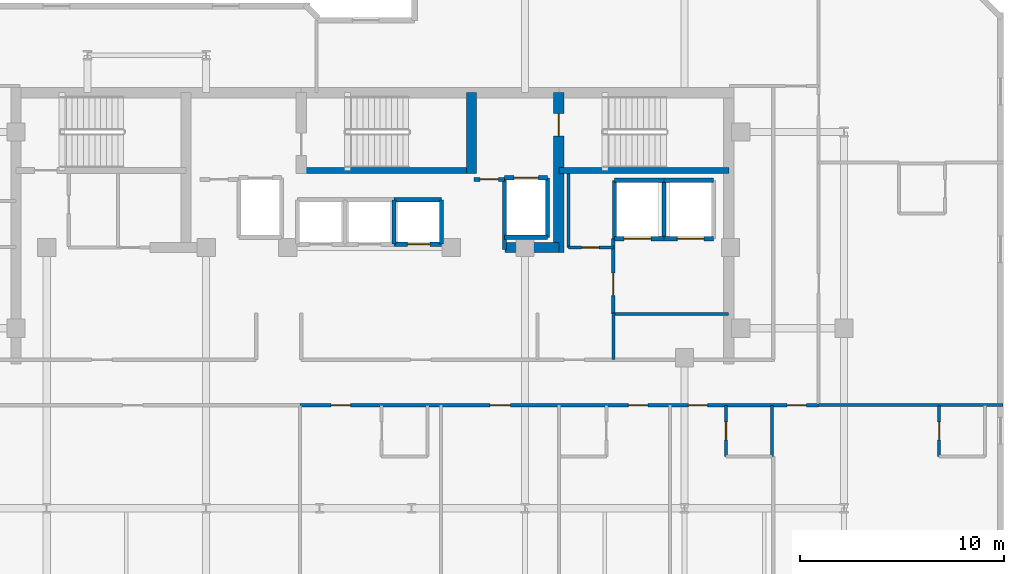
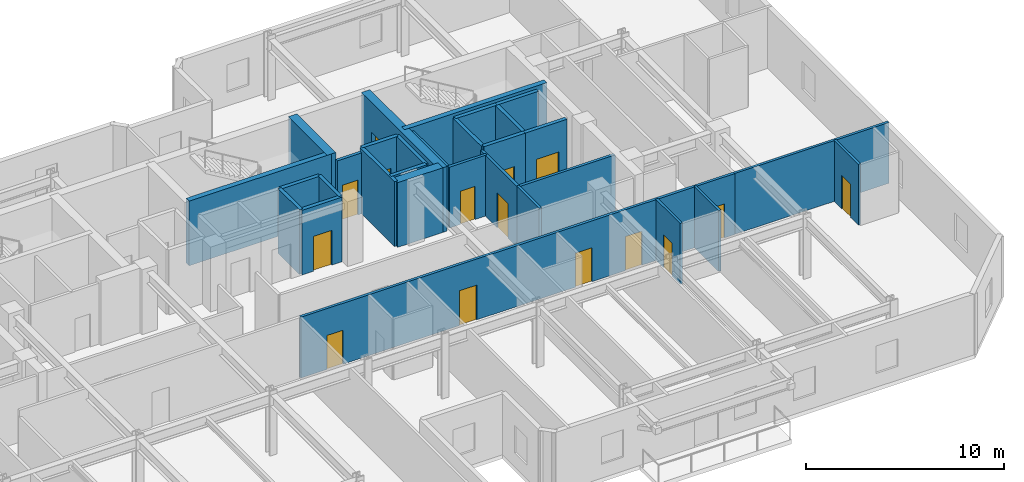
# One storey, part 6 of 11: 30 walls, 15 doors, 15 openings.
"""IFC4 building model written with IfcOpenShell, lengths in metres."""

from ifc_helpers import new_model, si_unit, direction, frame, frame_2d, origin, place, context, subcontext, project, spatial, rectangle, extrude, material, layer, layer_set, type_object, element, fill, save


model = new_model("IFC4")

# Units and contexts
model_context = context("Model", 3, precision=1e-05, world=origin(), true_north=direction((0.0, 1.0)))
body_context = subcontext(model_context, "Body", "Model", "MODEL_VIEW")
ifc_project = project(units=[si_unit("LENGTHUNIT", "METRE"), si_unit("AREAUNIT", "SQUARE_METRE"), si_unit("VOLUMEUNIT", "CUBIC_METRE"), si_unit("PLANEANGLEUNIT", "RADIAN"), si_unit("MASSUNIT", "GRAM", prefix="KILO")], contexts=[model_context])

# Site, building, storey
site_placement = place(None, origin())
site = spatial("IfcSite", under=ifc_project, at=site_placement, CompositionType="ELEMENT")
building_placement = place(site_placement, origin())
building = spatial("IfcBuilding", under=site, at=building_placement, Name="Kestravale Grand Hotel", CompositionType="ELEMENT")
storey_placement = place(building_placement, frame((0.0, 0.0, 249.39990234375)))
storey = spatial("IfcBuildingStorey", under=building, at=storey_placement, Name="L62", CompositionType="ELEMENT", Elevation=249.39990234375)

# Walls
ifc_material_1 = material(Name="Concrete f'c 50 MPa", Category="concrete")
ifc_layer_1 = layer(ifc_material_1, 0.5)
ifc_layer_set_1 = layer_set([ifc_layer_1], Name="EW-CORE-500")
wall_type_1 = type_object("IfcWallType", Name="EW-CORE-500", PredefinedType="SHEAR", material=ifc_layer_set_1)
wall_1_placement = place(storey_placement, frame((45.81005859375, 32.75, 0.0), z_axis=(0.0, 0.0, 1.0), x_axis=(1.0, 0.0, 0.0)))
element("IfcWall", 1, at=wall_1_placement, inside=storey, type_object=wall_type_1, Name="L62 core shear wall S2", PredefinedType="SHEAR", context=body_context, shape_type="SweptSolid", body=[
    extrude(rectangle(XDim=2.639892578125, YDim=0.5, at=frame_2d((1.31982421875, 0.0))), origin(), (0.0, 0.0, 1.0), 4.0),
])
wall_2_placement = place(storey_placement, frame((44.179931640625, 36.3701171875, 0.0), z_axis=(0.0, 0.0, 1.0), x_axis=(0.0, 1.0, 0.0)))
element("IfcWall", 2, at=wall_2_placement, inside=storey, type_object=wall_type_1, Name="L62 core shear wall X3", PredefinedType="SHEAR", context=body_context, shape_type="SweptSolid", body=[
    extrude(rectangle(XDim=3.949951171875, YDim=0.5, at=frame_2d((1.97509765625, 0.0))), origin(), (0.0, 0.0, 1.0), 4.0),
])

# Wall, opening, door
wall_3_placement = place(storey_placement, frame((48.449951171875, 32.5, 0.0), z_axis=(0.0, 0.0, 1.0), x_axis=(0.0, 1.0, 0.0)))
wall_3 = element("IfcWall", 3, at=wall_3_placement, inside=storey, type_object=wall_type_1, Name="L62 core shear wall X4", PredefinedType="SHEAR", context=body_context, shape_type="SweptSolid", body=[
    extrude(rectangle(XDim=7.820068359375, YDim=0.5, at=frame_2d((3.91015625, 0.0))), origin(), (0.0, 0.0, 1.0), 4.0),
])
opening_1_placement = place(wall_3_placement, frame((5.699951171875, 0.0, 0.0)))
opening_1 = element("IfcOpeningElement", 4, at=opening_1_placement, cuts=wall_3, Name="Opening D-ST-1100", PredefinedType="OPENING", context=body_context, shape_type="SweptSolid", body=[
    extrude(rectangle(XDim=1.10009765625, YDim=2.14990234375, at=frame_2d((0.550048828125, 1.074951171875))), frame((0.0, 0.260009765625, 0.0), z_axis=(0.0, -1.0, 0.0), x_axis=(1.0, 0.0, 0.0)), (0.0, 0.0, 1.0), 0.52001953125),
])
ifc_material_2 = material(Name="Galvanised 90-minute fire-rated steel stair door", Category="steel")
door_type_1 = type_object("IfcDoorType", Name="D-ST-1100", OperationType="NOTDEFINED", PredefinedType="DOOR", material=ifc_material_2)
door_1_placement = place(opening_1_placement, origin())
door_1 = element("IfcDoor", 5, at=door_1_placement, inside=storey, type_object=door_type_1, Name="L62 Stair ST-3 FSAE fire door", OperationType="SINGLE_SWING_RIGHT", OverallHeight=2.14990234375, OverallWidth=1.10009765625, PredefinedType="DOOR", context=body_context, shape_type="SweptSolid", body=[
    extrude(rectangle(XDim=1.10009765625, YDim=2.14990234375, at=frame_2d((0.550048828125, 1.074951171875))), frame((0.0, 0.02490234375, 0.0), z_axis=(0.0, -1.0, 0.0), x_axis=(1.0, 0.0, 0.0)), (0.0, 0.0, 1.0), 0.050048828125),
])
fill(opening_1, door_1)

# Walls
ifc_material_3 = material(Name="Concrete f'c 45 MPa", Category="concrete")
ifc_layer_2 = layer(ifc_material_3, 0.300048828125)
ifc_layer_set_2 = layer_set([ifc_layer_2], Name="EW-STAIR-300")
wall_type_2 = type_object("IfcWallType", Name="EW-STAIR-300", PredefinedType="SHEAR", material=ifc_layer_set_2)
wall_4_placement = place(storey_placement, frame((35.85009765625, 36.52001953125, 0.0), z_axis=(0.0, 0.0, 1.0), x_axis=(1.0, 0.0, 0.0)))
element("IfcWall", 6, at=wall_4_placement, inside=storey, type_object=wall_type_2, Name="L62 stair enclosure shear wall SST2", PredefinedType="SHEAR", context=body_context, shape_type="SweptSolid", body=[
    extrude(rectangle(XDim=8.329833984375, YDim=0.300048828125, at=frame_2d((4.1650390625, 0.0))), origin(), (0.0, 0.0, 1.0), 4.0),
])
wall_5_placement = place(storey_placement, frame((48.449951171875, 36.52001953125, 0.0), z_axis=(0.0, 0.0, 1.0), x_axis=(1.0, 0.0, 0.0)))
element("IfcWall", 7, at=wall_5_placement, inside=storey, type_object=wall_type_2, Name="L62 stair enclosure shear wall SST3", PredefinedType="SHEAR", context=body_context, shape_type="SweptSolid", body=[
    extrude(rectangle(XDim=8.320068359375, YDim=0.300048828125, at=frame_2d((4.16015625, 0.0))), origin(), (0.0, 0.0, 1.0), 4.0),
])

# Wall, opening, door
ifc_material_4 = material(Name="Acoustic fire-rated gypsum board partition", Category="other")
ifc_layer_3 = layer(ifc_material_4, 0.159912109375)
ifc_layer_set_3 = layer_set([ifc_layer_3], Name="IW-CORR-160")
wall_type_3 = type_object("IfcWallType", Name="IW-CORR-160", PredefinedType="PARTITIONING", material=ifc_layer_set_3)
wall_6_placement = place(storey_placement, frame((51.1201171875, 29.5, 0.0), z_axis=(0.0, 0.0, 1.0), x_axis=(0.0, 1.0, 0.0)))
wall_6 = element("IfcWall", 8, at=wall_6_placement, inside=storey, type_object=wall_type_3, Name="W-L62-SVCLOB-W", PredefinedType="PARTITIONING", context=body_context, shape_type="SweptSolid", body=[
    extrude(rectangle(XDim=3.699951171875, YDim=0.159912109375, at=frame_2d((1.85009765625, 0.0))), origin(), (0.0, 0.0, 1.0), 3.760009765625),
])
opening_2_placement = place(wall_6_placement, frame((0.89990234375, 0.0, 0.0)))
opening_2 = element("IfcOpeningElement", 9, at=opening_2_placement, cuts=wall_6, Name="Opening D-CORR-1100", PredefinedType="OPENING", context=body_context, shape_type="SweptSolid", body=[
    extrude(rectangle(XDim=1.10009765625, YDim=2.14990234375, at=frame_2d((0.550048828125, 1.074951171875))), frame((0.0, 0.08984375, 0.0), z_axis=(0.0, -1.0, 0.0), x_axis=(1.0, 0.0, 0.0)), (0.0, 0.0, 1.0), 0.179931640625),
])
ifc_material_5 = material(Name="Single-leaf service vestibule fire door", Category="steel")
door_type_2 = type_object("IfcDoorType", Name="D-CORR-1100", OperationType="NOTDEFINED", PredefinedType="DOOR", material=ifc_material_5)
door_2_placement = place(opening_2_placement, origin())
door_2 = element("IfcDoor", 10, at=door_2_placement, inside=storey, type_object=door_type_2, Name="L62 service lift lobby door", OperationType="SINGLE_SWING_LEFT", OverallHeight=2.14990234375, OverallWidth=1.10009765625, PredefinedType="DOOR", context=body_context, shape_type="SweptSolid", body=[
    extrude(rectangle(XDim=1.10009765625, YDim=2.14990234375, at=frame_2d((0.550048828125, 1.074951171875))), frame((0.0, 0.02490234375, 0.0), z_axis=(0.0, -1.0, 0.0), x_axis=(1.0, 0.0, 0.0)), (0.0, 0.0, 1.0), 0.050048828125),
])
fill(opening_2, door_2)

# Wall
wall_7_placement = place(storey_placement, frame((51.1201171875, 29.5, 0.0), z_axis=(0.0, 0.0, 1.0), x_axis=(1.0, 0.0, 0.0)))
element("IfcWall", 11, at=wall_7_placement, inside=storey, type_object=wall_type_3, Name="L62 service lift lobby wall", PredefinedType="PARTITIONING", context=body_context, shape_type="SweptSolid", body=[
    extrude(rectangle(XDim=5.6298828125, YDim=0.159912109375, at=frame_2d((2.81494140625, 0.0))), origin(), (0.0, 0.0, 1.0), 3.760009765625),
])

# Wall, opening, door
wall_8_placement = place(storey_placement, frame((48.919921875, 32.75, 0.0), z_axis=(0.0, 0.0, 1.0), x_axis=(1.0, 0.0, 0.0)))
wall_8 = element("IfcWall", 12, at=wall_8_placement, inside=storey, type_object=wall_type_3, Name="W-L62-CES", PredefinedType="PARTITIONING", context=body_context, shape_type="SweptSolid", body=[
    extrude(rectangle(XDim=2.2001953125, YDim=0.159912109375, at=frame_2d((1.10009765625, 0.0))), origin(), (0.0, 0.0, 1.0), 3.760009765625),
])
opening_3_placement = place(wall_8_placement, frame((0.64990234375, 0.0, 0.0)))
opening_3 = element("IfcOpeningElement", 13, at=opening_3_placement, cuts=wall_8, Name="Opening D-SH-860", PredefinedType="OPENING", context=body_context, shape_type="SweptSolid", body=[
    extrude(rectangle(XDim=0.860107421875, YDim=2.050048828125, at=frame_2d((0.43017578125, 1.02490234375))), frame((0.0, 0.08984375, 0.0), z_axis=(0.0, -1.0, 0.0), x_axis=(1.0, 0.0, 0.0)), (0.0, 0.0, 1.0), 0.179931640625),
])
ifc_material_6 = material(Name="Galvanised 90-minute riser fire door", Category="steel")
door_type_3 = type_object("IfcDoorType", Name="D-SH-860", OperationType="NOTDEFINED", PredefinedType="DOOR", material=ifc_material_6)
door_3_placement = place(opening_3_placement, origin())
door_3 = element("IfcDoor", 14, at=door_3_placement, inside=storey, type_object=door_type_3, Name="L62 CSTO1 door", OperationType="SINGLE_SWING_RIGHT", OverallHeight=2.050048828125, OverallWidth=0.860107421875, PredefinedType="DOOR", context=body_context, shape_type="SweptSolid", body=[
    extrude(rectangle(XDim=0.860107421875, YDim=2.050048828125, at=frame_2d((0.43017578125, 1.02490234375))), frame((0.0, 0.02490234375, 0.0), z_axis=(0.0, -1.0, 0.0), x_axis=(1.0, 0.0, 0.0)), (0.0, 0.0, 1.0), 0.050048828125),
])
fill(opening_3, door_3)

# Wall, openings, doors
wall_9_placement = place(storey_placement, frame((35.800048828125, 25.0400390625, 0.0), z_axis=(0.0, 0.0, 1.0), x_axis=(1.0, 0.0, 0.0)))
wall_9 = element("IfcWall", 15, at=wall_9_placement, inside=storey, type_object=wall_type_3, Name="W-L62-CE-S", PredefinedType="PARTITIONING", context=body_context, shape_type="SweptSolid", body=[
    extrude(rectangle(XDim=25.35986328125, YDim=0.159912109375, at=frame_2d((12.679931640625, 0.0))), origin(), (0.0, 0.0, 1.0), 3.760009765625),
])
opening_4_placement = place(wall_9_placement, frame((1.517578125, 0.0, 0.0)))
opening_4 = element("IfcOpeningElement", 16, at=opening_4_placement, cuts=wall_9, Name="Opening D-GUEST-950", PredefinedType="OPENING", context=body_context, shape_type="SweptSolid", body=[
    extrude(rectangle(XDim=0.949951171875, YDim=2.10009765625, at=frame_2d((0.47509765625, 1.050048828125))), frame((0.0, 0.08984375, 0.0), z_axis=(0.0, -1.0, 0.0), x_axis=(1.0, 0.0, 0.0)), (0.0, 0.0, 1.0), 0.179931640625),
])
opening_5_placement = place(wall_9_placement, frame((9.277587890625, 0.0, 0.0)))
opening_5 = element("IfcOpeningElement", 17, at=opening_5_placement, cuts=wall_9, Name="Opening D-GUEST-1000", PredefinedType="OPENING", context=body_context, shape_type="SweptSolid", body=[
    extrude(rectangle(XDim=1.0, YDim=2.14990234375, at=frame_2d((0.5, 1.074951171875))), frame((0.0, 0.08984375, 0.0), z_axis=(0.0, -1.0, 0.0), x_axis=(1.0, 0.0, 0.0)), (0.0, 0.0, 1.0), 0.179931640625),
])
opening_6_placement = place(wall_9_placement, frame((16.06005859375, 0.0, 0.0)))
opening_6 = element("IfcOpeningElement", 18, at=opening_6_placement, cuts=wall_9, Name="Opening D-GUEST-950", PredefinedType="OPENING", context=body_context, shape_type="SweptSolid", body=[
    extrude(rectangle(XDim=0.949951171875, YDim=2.10009765625, at=frame_2d((0.47509765625, 1.050048828125))), frame((0.0, 0.08984375, 0.0), z_axis=(0.0, -1.0, 0.0), x_axis=(1.0, 0.0, 0.0)), (0.0, 0.0, 1.0), 0.179931640625),
])
opening_7_placement = place(wall_9_placement, frame((18.985107421875, 0.0, 0.0)))
opening_7 = element("IfcOpeningElement", 19, at=opening_7_placement, cuts=wall_9, Name="Opening D-GUEST-950", PredefinedType="OPENING", context=body_context, shape_type="SweptSolid", body=[
    extrude(rectangle(XDim=0.949951171875, YDim=2.10009765625, at=frame_2d((0.47509765625, 1.050048828125))), frame((0.0, 0.08984375, 0.0), z_axis=(0.0, -1.0, 0.0), x_axis=(1.0, 0.0, 0.0)), (0.0, 0.0, 1.0), 0.179931640625),
])
opening_8_placement = place(wall_9_placement, frame((23.81494140625, 0.0, 0.0)))
opening_8 = element("IfcOpeningElement", 20, at=opening_8_placement, cuts=wall_9, Name="Opening D-GUEST-950", PredefinedType="OPENING", context=body_context, shape_type="SweptSolid", body=[
    extrude(rectangle(XDim=0.949951171875, YDim=2.10009765625, at=frame_2d((0.47509765625, 1.050048828125))), frame((0.0, 0.08984375, 0.0), z_axis=(0.0, -1.0, 0.0), x_axis=(1.0, 0.0, 0.0)), (0.0, 0.0, 1.0), 0.179931640625),
])
ifc_material_7 = material(Name="Accessible walnut veneer hotel entrance fire door", Category="wood")
door_type_4 = type_object("IfcDoorType", Name="D-GUEST-1000", OperationType="NOTDEFINED", PredefinedType="DOOR", material=ifc_material_7)
door_4_placement = place(opening_5_placement, origin())
door_4 = element("IfcDoor", 21, at=door_4_placement, inside=storey, type_object=door_type_4, Name="D-L62-AME", OperationType="SINGLE_SWING_LEFT", OverallHeight=2.14990234375, OverallWidth=1.0, PredefinedType="DOOR", context=body_context, shape_type="SweptSolid", body=[
    extrude(rectangle(XDim=1.0, YDim=2.14990234375, at=frame_2d((0.5, 1.074951171875))), frame((0.0, 0.02490234375, 0.0), z_axis=(0.0, -1.0, 0.0), x_axis=(1.0, 0.0, 0.0)), (0.0, 0.0, 1.0), 0.050048828125),
])
fill(opening_5, door_4)
ifc_material_8 = material(Name="Walnut veneer hotel guestroom entrance fire door", Category="wood")
door_type_5 = type_object("IfcDoorType", Name="D-GUEST-950", OperationType="NOTDEFINED", PredefinedType="DOOR", material=ifc_material_8)
door_5_placement = place(opening_4_placement, origin())
door_5 = element("IfcDoor", 22, at=door_5_placement, inside=storey, type_object=door_type_5, Name="D-L62-U01-ENT", OperationType="SINGLE_SWING_RIGHT", OverallHeight=2.10009765625, OverallWidth=0.949951171875, PredefinedType="DOOR", context=body_context, shape_type="SweptSolid", body=[
    extrude(rectangle(XDim=0.949951171875, YDim=2.10009765625, at=frame_2d((0.47509765625, 1.050048828125))), frame((0.0, 0.02490234375, 0.0), z_axis=(0.0, -1.0, 0.0), x_axis=(1.0, 0.0, 0.0)), (0.0, 0.0, 1.0), 0.050048828125),
])
fill(opening_4, door_5)
door_6_placement = place(opening_6_placement, origin())
door_6 = element("IfcDoor", 23, at=door_6_placement, inside=storey, type_object=door_type_5, Name="D-L62-U02-ENT", OperationType="SINGLE_SWING_LEFT", OverallHeight=2.10009765625, OverallWidth=0.949951171875, PredefinedType="DOOR", context=body_context, shape_type="SweptSolid", body=[
    extrude(rectangle(XDim=0.949951171875, YDim=2.10009765625, at=frame_2d((0.47509765625, 1.050048828125))), frame((0.0, 0.02490234375, 0.0), z_axis=(0.0, -1.0, 0.0), x_axis=(1.0, 0.0, 0.0)), (0.0, 0.0, 1.0), 0.050048828125),
])
fill(opening_6, door_6)
door_7_placement = place(opening_7_placement, origin())
door_7 = element("IfcDoor", 24, at=door_7_placement, inside=storey, type_object=door_type_5, Name="D-L62-U03-ENT", OperationType="SINGLE_SWING_LEFT", OverallHeight=2.10009765625, OverallWidth=0.949951171875, PredefinedType="DOOR", context=body_context, shape_type="SweptSolid", body=[
    extrude(rectangle(XDim=0.949951171875, YDim=2.10009765625, at=frame_2d((0.47509765625, 1.050048828125))), frame((0.0, 0.02490234375, 0.0), z_axis=(0.0, -1.0, 0.0), x_axis=(1.0, 0.0, 0.0)), (0.0, 0.0, 1.0), 0.050048828125),
])
fill(opening_7, door_7)
door_8_placement = place(opening_8_placement, origin())
door_8 = element("IfcDoor", 25, at=door_8_placement, inside=storey, type_object=door_type_5, Name="D-L62-U07-ENT", OperationType="SINGLE_SWING_RIGHT", OverallHeight=2.10009765625, OverallWidth=0.949951171875, PredefinedType="DOOR", context=body_context, shape_type="SweptSolid", body=[
    extrude(rectangle(XDim=0.949951171875, YDim=2.10009765625, at=frame_2d((0.47509765625, 1.050048828125))), frame((0.0, 0.02490234375, 0.0), z_axis=(0.0, -1.0, 0.0), x_axis=(1.0, 0.0, 0.0)), (0.0, 0.0, 1.0), 0.050048828125),
])
fill(opening_8, door_8)

# Wall, opening, door
ifc_material_9 = material(Name="Fire-rated gypsum board on steel studs with mineral wool", Category="steel")
ifc_layer_4 = layer(ifc_material_9, 0.179931640625)
ifc_layer_set_4 = layer_set([ifc_layer_4], Name="IW-FSAE-180")
wall_type_4 = type_object("IfcWallType", Name="IW-FSAE-180", PredefinedType="PARTITIONING", material=ifc_layer_set_4)
wall_10_placement = place(storey_placement, frame((44.300048828125, 36.080078125, 0.0), z_axis=(0.0, 0.0, 1.0), x_axis=(1.0, 0.0, 0.0)))
wall_10 = element("IfcWall", 26, at=wall_10_placement, inside=storey, type_object=wall_type_4, Name="L62 FSAE Lobby 2 smoke barrier", PredefinedType="PARTITIONING", context=body_context, shape_type="SweptSolid", body=[
    extrude(rectangle(XDim=1.5, YDim=0.179931640625, at=frame_2d((0.75, 0.0))), origin(), (0.0, 0.0, 1.0), 3.760009765625),
])
opening_9_placement = place(wall_10_placement, frame((0.300048828125, 0.0, 0.0)))
opening_9 = element("IfcOpeningElement", 27, at=opening_9_placement, cuts=wall_10, Name="Opening D-FSAE-1000", PredefinedType="OPENING", context=body_context, shape_type="SweptSolid", body=[
    extrude(rectangle(XDim=0.89990234375, YDim=2.14990234375, at=frame_2d((0.449951171875, 1.074951171875))), frame((0.0, 0.099853515625, 0.0), z_axis=(0.0, -1.0, 0.0), x_axis=(1.0, 0.0, 0.0)), (0.0, 0.0, 1.0), 0.199951171875),
])
ifc_material_10 = material(Name="Smoke-gasketed FSAE lobby fire door", Category="steel")
door_type_6 = type_object("IfcDoorType", Name="D-FSAE-1000", OperationType="NOTDEFINED", PredefinedType="DOOR", material=ifc_material_10)
door_9_placement = place(opening_9_placement, origin())
door_9 = element("IfcDoor", 28, at=door_9_placement, inside=storey, type_object=door_type_6, Name="L62 FSAE Lobby 2 fire door", OperationType="SINGLE_SWING_LEFT", OverallHeight=2.14990234375, OverallWidth=0.89990234375, PredefinedType="DOOR", context=body_context, shape_type="SweptSolid", body=[
    extrude(rectangle(XDim=0.89990234375, YDim=2.14990234375, at=frame_2d((0.449951171875, 1.074951171875))), frame((0.0, 0.02490234375, 0.0), z_axis=(0.0, -1.0, 0.0), x_axis=(1.0, 0.0, 0.0)), (0.0, 0.0, 1.0), 0.050048828125),
])
fill(opening_9, door_9)

ifc_material_11 = material(Name="Moisture-resistant tile-backer plumbing chase wall", Category="other")
ifc_layer_5 = layer(ifc_material_11, 0.139892578125)
ifc_layer_set_5 = layer_set([ifc_layer_5], Name="IW-PLB-140")
wall_type_5 = type_object("IfcWallType", Name="IW-PLB-140", PredefinedType="PLUMBINGWALL", material=ifc_layer_set_5)
wall_11_placement = place(storey_placement, frame((56.6298828125, 22.530029296875, 0.0), z_axis=(0.0, 0.0, 1.0), x_axis=(0.0, 1.0, 0.0)))
wall_11 = element("IfcWall", 29, at=wall_11_placement, inside=storey, type_object=wall_type_5, Name="W-L62-U03-BW", PredefinedType="PLUMBINGWALL", context=body_context, shape_type="SweptSolid", body=[
    extrude(rectangle(XDim=2.489990234375, YDim=0.139892578125, at=frame_2d((1.2451171875, 0.0))), origin(), (0.0, 0.0, 1.0), 3.760009765625),
])
opening_10_placement = place(wall_11_placement, frame((0.804931640625, 0.0, 0.0)))
opening_10 = element("IfcOpeningElement", 30, at=opening_10_placement, cuts=wall_11, Name="Opening D-BATH-880", PredefinedType="OPENING", context=body_context, shape_type="SweptSolid", body=[
    extrude(rectangle(XDim=0.8798828125, YDim=2.050048828125, at=frame_2d((0.43994140625, 1.02490234375))), frame((0.0, 0.079833984375, 0.0), z_axis=(0.0, -1.0, 0.0), x_axis=(1.0, 0.0, 0.0)), (0.0, 0.0, 1.0), 0.159912109375),
])
ifc_material_12 = material(Name="Moisture-sealed walnut en-suite bathroom door", Category="wood")
door_type_7 = type_object("IfcDoorType", Name="D-BATH-880", OperationType="NOTDEFINED", PredefinedType="DOOR", material=ifc_material_12)
door_10_placement = place(opening_10_placement, origin())
door_10 = element("IfcDoor", 31, at=door_10_placement, inside=storey, type_object=door_type_7, Name="D-L62-U03-BATH", OperationType="SINGLE_SWING_RIGHT", OverallHeight=2.050048828125, OverallWidth=0.8798828125, PredefinedType="DOOR", context=body_context, shape_type="SweptSolid", body=[
    extrude(rectangle(XDim=0.8798828125, YDim=2.050048828125, at=frame_2d((0.43994140625, 1.02490234375))), frame((0.0, 0.02490234375, 0.0), z_axis=(0.0, -1.0, 0.0), x_axis=(1.0, 0.0, 0.0)), (0.0, 0.0, 1.0), 0.050048828125),
])
fill(opening_10, door_10)

# Wall
wall_12_placement = place(storey_placement, frame((58.8798828125, 22.530029296875, 0.0), z_axis=(0.0, 0.0, 1.0), x_axis=(0.0, 1.0, 0.0)))
element("IfcWall", 32, at=wall_12_placement, inside=storey, type_object=wall_type_5, Name="W-L62-U03-BE", PredefinedType="PLUMBINGWALL", context=body_context, shape_type="SweptSolid", body=[
    extrude(rectangle(XDim=2.489990234375, YDim=0.139892578125, at=frame_2d((1.2451171875, 0.0))), origin(), (0.0, 0.0, 1.0), 3.760009765625),
])

# Wall, opening, door
wall_13_placement = place(storey_placement, frame((67.050048828125, 22.530029296875, 0.0), z_axis=(0.0, 0.0, 1.0), x_axis=(0.0, 1.0, 0.0)))
wall_13 = element("IfcWall", 33, at=wall_13_placement, inside=storey, type_object=wall_type_5, Name="W-L62-U07-BW", PredefinedType="PLUMBINGWALL", context=body_context, shape_type="SweptSolid", body=[
    extrude(rectangle(XDim=2.489990234375, YDim=0.139892578125, at=frame_2d((1.2451171875, 0.0))), origin(), (0.0, 0.0, 1.0), 3.760009765625),
])
opening_11_placement = place(wall_13_placement, frame((0.804931640625, 0.0, 0.0)))
opening_11 = element("IfcOpeningElement", 34, at=opening_11_placement, cuts=wall_13, Name="Opening D-BATH-880", PredefinedType="OPENING", context=body_context, shape_type="SweptSolid", body=[
    extrude(rectangle(XDim=0.8798828125, YDim=2.050048828125, at=frame_2d((0.43994140625, 1.02490234375))), frame((0.0, 0.079833984375, 0.0), z_axis=(0.0, -1.0, 0.0), x_axis=(1.0, 0.0, 0.0)), (0.0, 0.0, 1.0), 0.159912109375),
])
door_11_placement = place(opening_11_placement, origin())
door_11 = element("IfcDoor", 35, at=door_11_placement, inside=storey, type_object=door_type_7, Name="D-L62-U07-BATH", OperationType="SINGLE_SWING_LEFT", OverallHeight=2.050048828125, OverallWidth=0.8798828125, PredefinedType="DOOR", context=body_context, shape_type="SweptSolid", body=[
    extrude(rectangle(XDim=0.8798828125, YDim=2.050048828125, at=frame_2d((0.43994140625, 1.02490234375))), frame((0.0, 0.02490234375, 0.0), z_axis=(0.0, -1.0, 0.0), x_axis=(1.0, 0.0, 0.0)), (0.0, 0.0, 1.0), 0.050048828125),
])
fill(opening_11, door_11)

# Walls
ifc_material_13 = material(Name="Concrete f'c 45 MPa", Category="concrete")
ifc_layer_6 = layer(ifc_material_13, 0.199951171875)
ifc_layer_set_6 = layer_set([ifc_layer_6], Name="IW-SHAFT-200")
wall_type_6 = type_object("IfcWallType", Name="IW-SHAFT-200", PredefinedType="SHEAR", material=ifc_layer_set_6)
for number, where, z_axis, x_axis, name in (
    (36, (40.39990234375, 32.919921875, 0.0), (0.0, 0.0, 1.0), (0.0, 1.0, 0.0), "L62 PL-X3 west shaft wall"),
    (37, (42.719970703125, 32.919921875, 0.0), (0.0, 0.0, 1.0), (0.0, 1.0, 0.0), "L62 PL-X3 east shaft wall"),
):
    element("IfcWall", number, at=place(storey_placement, frame(where, z_axis=z_axis, x_axis=x_axis)), inside=storey, type_object=wall_type_6, Name=name, PredefinedType="SHEAR", context=body_context, shape_type="SweptSolid", body=[
        extrude(rectangle(XDim=2.16015625, YDim=0.199951171875, at=frame_2d((1.080078125, 0.0))), origin(), (0.0, 0.0, 1.0), 4.0),
    ])
for number, where, z_axis, x_axis, name in (
    (38, (51.179931640625, 33.169921875, 0.0), (0.0, 0.0, 1.0), (0.0, 1.0, 0.0), "L62 SL-1 west shaft wall"),
    (39, (53.60009765625, 33.169921875, 0.0), (0.0, 0.0, 1.0), (0.0, 1.0, 0.0), "L62 SL-2 west shaft wall"),
):
    element("IfcWall", number, at=place(storey_placement, frame(where, z_axis=z_axis, x_axis=x_axis)), inside=storey, type_object=wall_type_6, Name=name, PredefinedType="SHEAR", context=body_context, shape_type="SweptSolid", body=[
        extrude(rectangle(XDim=2.860107421875, YDim=0.199951171875, at=frame_2d((1.43017578125, 0.0))), origin(), (0.0, 0.0, 1.0), 4.0),
    ])
wall_14_placement = place(storey_placement, frame((45.804931640625, 32.64990234375, 0.0), z_axis=(0.0, 0.0, 1.0), x_axis=(0.0, 1.0, 0.0)))
element("IfcWall", 40, at=wall_14_placement, inside=storey, type_object=wall_type_6, Name="L62 FL-2 west shaft wall", PredefinedType="SHEAR", context=body_context, shape_type="SweptSolid", body=[
    extrude(rectangle(XDim=3.505126953125, YDim=0.199951171875, at=frame_2d((1.75244140625, 0.0))), origin(), (0.0, 0.0, 1.0), 4.0),
])
wall_15_placement = place(storey_placement, frame((47.89501953125, 33.2451171875, 0.0), z_axis=(0.0, 0.0, 1.0), x_axis=(0.0, 1.0, 0.0)))
element("IfcWall", 41, at=wall_15_placement, inside=storey, type_object=wall_type_6, Name="L62 FL-2 east shaft wall", PredefinedType="SHEAR", context=body_context, shape_type="SweptSolid", body=[
    extrude(rectangle(XDim=2.909912109375, YDim=0.199951171875, at=frame_2d((1.455078125, 0.0))), origin(), (0.0, 0.0, 1.0), 4.0),
])
ifc_material_14 = material(Name="Concrete f'c 45 MPa", Category="concrete")
ifc_layer_7 = layer(ifc_material_14, 0.219970703125)
ifc_layer_set_7 = layer_set([ifc_layer_7], Name="IW-SHAFT-220")
wall_type_7 = type_object("IfcWallType", Name="IW-SHAFT-220", PredefinedType="SHEAR", material=ifc_layer_set_7)
wall_16_placement = place(storey_placement, frame((40.39990234375, 35.080078125, 0.0), z_axis=(0.0, 0.0, 1.0), x_axis=(1.0, 0.0, 0.0)))
element("IfcWall", 42, at=wall_16_placement, inside=storey, type_object=wall_type_7, Name="L62 PL-X3 north shaft wall", PredefinedType="SHEAR", context=body_context, shape_type="SweptSolid", body=[
    extrude(rectangle(XDim=2.320068359375, YDim=0.219970703125, at=frame_2d((1.16015625, 0.0))), origin(), (0.0, 0.0, 1.0), 4.0),
])

# Wall, opening, door
wall_17_placement = place(storey_placement, frame((40.39990234375, 32.919921875, 0.0), z_axis=(0.0, 0.0, 1.0), x_axis=(1.0, 0.0, 0.0)))
wall_17 = element("IfcWall", 43, at=wall_17_placement, inside=storey, type_object=wall_type_7, Name="L62 PL-X3 south shaft wall", PredefinedType="SHEAR", context=body_context, shape_type="SweptSolid", body=[
    extrude(rectangle(XDim=2.320068359375, YDim=0.219970703125, at=frame_2d((1.16015625, 0.0))), origin(), (0.0, 0.0, 1.0), 4.0),
])
opening_12_placement = place(wall_17_placement, frame((0.64990234375, 0.0, 0.0)))
opening_12 = element("IfcOpeningElement", 44, at=opening_12_placement, cuts=wall_17, Name="Opening LD-PAX-1100", PredefinedType="OPENING", context=body_context, shape_type="SweptSolid", body=[
    extrude(rectangle(XDim=1.10009765625, YDim=2.14990234375, at=frame_2d((0.550048828125, 1.074951171875))), frame((0.0, 0.119873046875, 0.0), z_axis=(0.0, -1.0, 0.0), x_axis=(1.0, 0.0, 0.0)), (0.0, 0.0, 1.0), 0.239990234375),
])
ifc_material_15 = material(Name="Champagne-bronze center-opening sliding elevator landing door", Category="steel")
door_type_8 = type_object("IfcDoorType", Name="LD-PAX-1100", OperationType="NOTDEFINED", PredefinedType="DOOR", material=ifc_material_15)
door_12_placement = place(opening_12_placement, origin())
door_12 = element("IfcDoor", 45, at=door_12_placement, inside=storey, type_object=door_type_8, Name="L62 PL-X3 elevator landing sliding door", OperationType="DOUBLE_DOOR_SLIDING", OverallHeight=2.14990234375, OverallWidth=1.10009765625, PredefinedType="DOOR", context=body_context, shape_type="SweptSolid", body=[
    extrude(rectangle(XDim=1.10009765625, YDim=2.14990234375, at=frame_2d((0.550048828125, 1.074951171875))), frame((0.0, 0.02490234375, 0.0), z_axis=(0.0, -1.0, 0.0), x_axis=(1.0, 0.0, 0.0)), (0.0, 0.0, 1.0), 0.050048828125),
])
fill(opening_12, door_12)

# Wall
wall_18_placement = place(storey_placement, frame((51.179931640625, 36.030029296875, 0.0), z_axis=(0.0, 0.0, 1.0), x_axis=(1.0, 0.0, 0.0)))
element("IfcWall", 46, at=wall_18_placement, inside=storey, type_object=wall_type_7, Name="L62 SL-1 north shaft wall", PredefinedType="SHEAR", context=body_context, shape_type="SweptSolid", body=[
    extrude(rectangle(XDim=2.420166015625, YDim=0.219970703125, at=frame_2d((1.2099609375, 0.0))), origin(), (0.0, 0.0, 1.0), 4.0),
])

# Wall, opening, door
wall_19_placement = place(storey_placement, frame((51.179931640625, 33.169921875, 0.0), z_axis=(0.0, 0.0, 1.0), x_axis=(1.0, 0.0, 0.0)))
wall_19 = element("IfcWall", 47, at=wall_19_placement, inside=storey, type_object=wall_type_7, Name="L62 SL-1 south shaft wall", PredefinedType="SHEAR", context=body_context, shape_type="SweptSolid", body=[
    extrude(rectangle(XDim=2.420166015625, YDim=0.219970703125, at=frame_2d((1.2099609375, 0.0))), origin(), (0.0, 0.0, 1.0), 4.0),
])
opening_13_placement = place(wall_19_placement, frame((0.469970703125, 0.0, 0.0)))
opening_13 = element("IfcOpeningElement", 48, at=opening_13_placement, cuts=wall_19, Name="Opening LD-SVC-1300", PredefinedType="OPENING", context=body_context, shape_type="SweptSolid", body=[
    extrude(rectangle(XDim=1.300048828125, YDim=2.14990234375, at=frame_2d((0.64990234375, 1.074951171875))), frame((0.0, 0.119873046875, 0.0), z_axis=(0.0, -1.0, 0.0), x_axis=(1.0, 0.0, 0.0)), (0.0, 0.0, 1.0), 0.239990234375),
])
ifc_material_16 = material(Name="Heavy-duty service sliding elevator landing door", Category="steel")
door_type_9 = type_object("IfcDoorType", Name="LD-SVC-1300", OperationType="NOTDEFINED", PredefinedType="DOOR", material=ifc_material_16)
door_13_placement = place(opening_13_placement, origin())
door_13 = element("IfcDoor", 49, at=door_13_placement, inside=storey, type_object=door_type_9, Name="L62 SL-1 elevator landing sliding door", OperationType="DOUBLE_DOOR_SLIDING", OverallHeight=2.14990234375, OverallWidth=1.300048828125, PredefinedType="DOOR", context=body_context, shape_type="SweptSolid", body=[
    extrude(rectangle(XDim=1.300048828125, YDim=2.14990234375, at=frame_2d((0.64990234375, 1.074951171875))), frame((0.0, 0.02490234375, 0.0), z_axis=(0.0, -1.0, 0.0), x_axis=(1.0, 0.0, 0.0)), (0.0, 0.0, 1.0), 0.050048828125),
])
fill(opening_13, door_13)

# Wall
wall_20_placement = place(storey_placement, frame((53.60009765625, 36.030029296875, 0.0), z_axis=(0.0, 0.0, 1.0), x_axis=(1.0, 0.0, 0.0)))
element("IfcWall", 50, at=wall_20_placement, inside=storey, type_object=wall_type_7, Name="L62 SL-2 north shaft wall", PredefinedType="SHEAR", context=body_context, shape_type="SweptSolid", body=[
    extrude(rectangle(XDim=2.419921875, YDim=0.219970703125, at=frame_2d((1.2099609375, 0.0))), origin(), (0.0, 0.0, 1.0), 4.0),
])

# Wall, opening, door
wall_21_placement = place(storey_placement, frame((53.60009765625, 33.169921875, 0.0), z_axis=(0.0, 0.0, 1.0), x_axis=(1.0, 0.0, 0.0)))
wall_21 = element("IfcWall", 51, at=wall_21_placement, inside=storey, type_object=wall_type_7, Name="L62 SL-2 south shaft wall", PredefinedType="SHEAR", context=body_context, shape_type="SweptSolid", body=[
    extrude(rectangle(XDim=2.419921875, YDim=0.219970703125, at=frame_2d((1.2099609375, 0.0))), origin(), (0.0, 0.0, 1.0), 4.0),
])
opening_14_placement = place(wall_21_placement, frame((0.64990234375, 0.0, 0.0)))
opening_14 = element("IfcOpeningElement", 52, at=opening_14_placement, cuts=wall_21, Name="Opening LD-SVC-1300", PredefinedType="OPENING", context=body_context, shape_type="SweptSolid", body=[
    extrude(rectangle(XDim=1.300048828125, YDim=2.14990234375, at=frame_2d((0.64990234375, 1.074951171875))), frame((0.0, 0.119873046875, 0.0), z_axis=(0.0, -1.0, 0.0), x_axis=(1.0, 0.0, 0.0)), (0.0, 0.0, 1.0), 0.239990234375),
])
door_14_placement = place(opening_14_placement, origin())
door_14 = element("IfcDoor", 53, at=door_14_placement, inside=storey, type_object=door_type_9, Name="L62 SL-2 elevator landing sliding door", OperationType="DOUBLE_DOOR_SLIDING", OverallHeight=2.14990234375, OverallWidth=1.300048828125, PredefinedType="DOOR", context=body_context, shape_type="SweptSolid", body=[
    extrude(rectangle(XDim=1.300048828125, YDim=2.14990234375, at=frame_2d((0.64990234375, 1.074951171875))), frame((0.0, 0.02490234375, 0.0), z_axis=(0.0, -1.0, 0.0), x_axis=(1.0, 0.0, 0.0)), (0.0, 0.0, 1.0), 0.050048828125),
])
fill(opening_14, door_14)

wall_22_placement = place(storey_placement, frame((45.804931640625, 36.155029296875, 0.0), z_axis=(0.0, 0.0, 1.0), x_axis=(1.0, 0.0, 0.0)))
wall_22 = element("IfcWall", 54, at=wall_22_placement, inside=storey, type_object=wall_type_7, Name="L62 FL-2 north shaft wall", PredefinedType="SHEAR", context=body_context, shape_type="SweptSolid", body=[
    extrude(rectangle(XDim=2.090087890625, YDim=0.219970703125, at=frame_2d((1.044921875, 0.0))), origin(), (0.0, 0.0, 1.0), 4.0),
])
opening_15_placement = place(wall_22_placement, frame((0.445068359375, 0.0, 0.0)))
opening_15 = element("IfcOpeningElement", 55, at=opening_15_placement, cuts=wall_22, Name="Opening LD-FSAE-1200", PredefinedType="OPENING", context=body_context, shape_type="SweptSolid", body=[
    extrude(rectangle(XDim=1.199951171875, YDim=2.14990234375, at=frame_2d((0.60009765625, 1.074951171875))), frame((0.0, 0.119873046875, 0.0), z_axis=(0.0, -1.0, 0.0), x_axis=(1.0, 0.0, 0.0)), (0.0, 0.0, 1.0), 0.239990234375),
])
ifc_material_17 = material(Name="Stainless fire-service sliding elevator landing door", Category="steel")
door_type_10 = type_object("IfcDoorType", Name="LD-FSAE-1200", OperationType="NOTDEFINED", PredefinedType="DOOR", material=ifc_material_17)
door_15_placement = place(opening_15_placement, origin())
door_15 = element("IfcDoor", 56, at=door_15_placement, inside=storey, type_object=door_type_10, Name="L62 FL-2 elevator landing sliding door", OperationType="DOUBLE_DOOR_SLIDING", OverallHeight=2.14990234375, OverallWidth=1.199951171875, PredefinedType="DOOR", context=body_context, shape_type="SweptSolid", body=[
    extrude(rectangle(XDim=1.199951171875, YDim=2.14990234375, at=frame_2d((0.60009765625, 1.074951171875))), frame((0.0, 0.02490234375, 0.0), z_axis=(0.0, -1.0, 0.0), x_axis=(1.0, 0.0, 0.0)), (0.0, 0.0, 1.0), 0.050048828125),
])
fill(opening_15, door_15)

# Walls
wall_23_placement = place(storey_placement, frame((45.804931640625, 33.2451171875, 0.0), z_axis=(0.0, 0.0, 1.0), x_axis=(1.0, 0.0, 0.0)))
element("IfcWall", 57, at=wall_23_placement, inside=storey, type_object=wall_type_7, Name="L62 FL-2 south shaft wall", PredefinedType="SHEAR", context=body_context, shape_type="SweptSolid", body=[
    extrude(rectangle(XDim=2.090087890625, YDim=0.219970703125, at=frame_2d((1.044921875, 0.0))), origin(), (0.0, 0.0, 1.0), 4.0),
])
ifc_material_18 = material(Name="Double-stud STC 52 acoustic demising partition", Category="other")
ifc_layer_8 = layer(ifc_material_18, 0.14990234375)
ifc_layer_set_8 = layer_set([ifc_layer_8], Name="IW-UNIT-150")
wall_type_8 = type_object("IfcWallType", Name="IW-UNIT-150", PredefinedType="PARTITIONING", material=ifc_layer_set_8)
wall_24_placement = place(storey_placement, frame((48.919921875, 32.75, 0.0), z_axis=(0.0, 0.0, 1.0), x_axis=(0.0, 1.0, 0.0)))
element("IfcWall", 58, at=wall_24_placement, inside=storey, type_object=wall_type_8, Name="W-L62-CEW", PredefinedType="PARTITIONING", context=body_context, shape_type="SweptSolid", body=[
    extrude(rectangle(XDim=3.6201171875, YDim=0.14990234375, at=frame_2d((1.81005859375, 0.0))), origin(), (0.0, 0.0, 1.0), 3.760009765625),
])
wall_25_placement = place(storey_placement, frame((51.1201171875, 27.260009765625, 0.0), z_axis=(0.0, 0.0, 1.0), x_axis=(0.0, 1.0, 0.0)))
element("IfcWall", 59, at=wall_25_placement, inside=storey, type_object=wall_type_8, Name="W-L62-RCLE-E", PredefinedType="PARTITIONING", context=body_context, shape_type="SweptSolid", body=[
    extrude(rectangle(XDim=2.2900390625, YDim=0.14990234375, at=frame_2d((1.14501953125, 0.0))), origin(), (0.0, 0.0, 1.0), 3.760009765625),
])
wall_26_placement = place(storey_placement, frame((61.159912109375, 25.0400390625, 0.0), z_axis=(0.0, 0.0, 1.0), x_axis=(1.0, 0.0, 0.0)))
element("IfcWall", 60, at=wall_26_placement, inside=storey, type_object=wall_type_8, Name="W-L62-SEC-N", PredefinedType="PARTITIONING", context=body_context, shape_type="SweptSolid", body=[
    extrude(rectangle(XDim=9.02001953125, YDim=0.14990234375, at=frame_2d((4.510009765625, 0.0))), origin(), (0.0, 0.0, 1.0), 3.760009765625),
])

save(model, "model.ifc")
